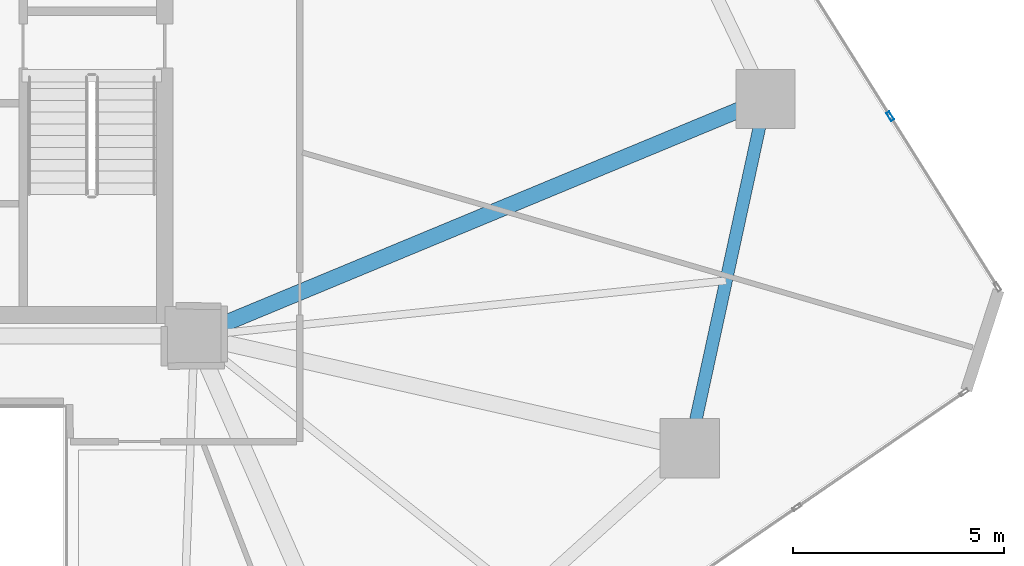
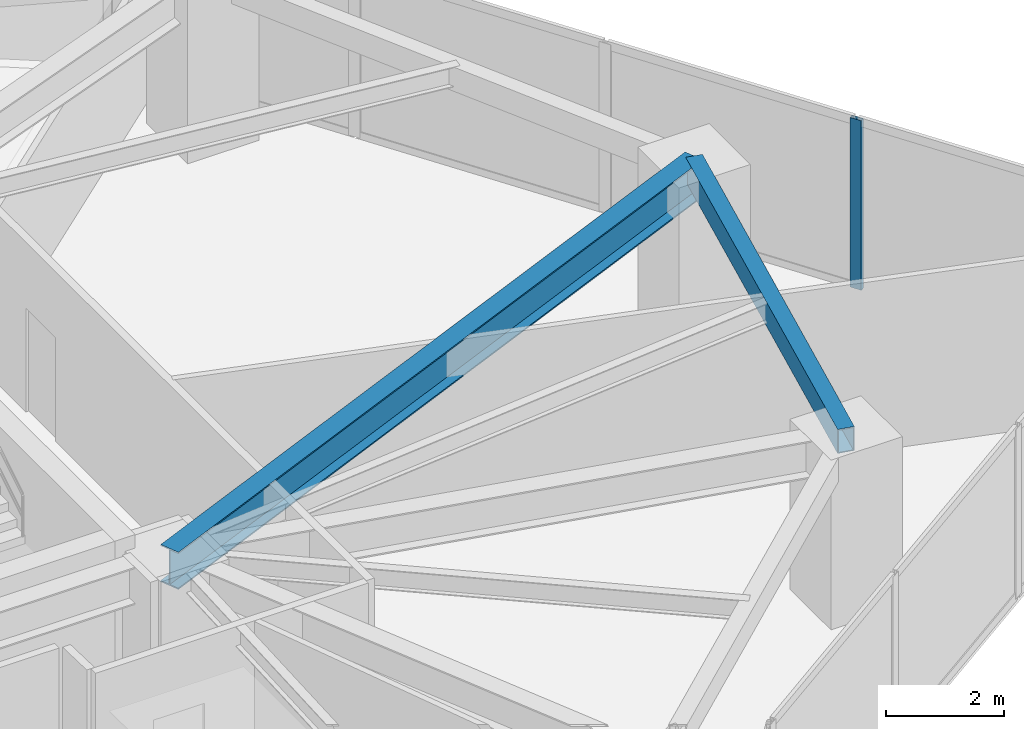
# One storey, part 10 of 21: 2 beams, 1 member, 1 element without a shape of its own.
"""IFC4 building model written with IfcOpenShell, lengths in metres."""

from ifc_helpers import new_model, si_unit, direction, frame, origin, origin_2d, place, context, subcontext, project, spatial, hollow_rectangle, i_section, extrude, source, transform, mapped, material, layer, layer_set, material_profile, profile_set, type_object, type_shapes, element, aggregate, save


model = new_model("IFC4")

# Units and contexts
model_context = context("Model", 3, precision=1e-05, world=origin(), true_north=direction((0.0, 1.0)))
body_context = subcontext(model_context, "Body", "Model", "MODEL_VIEW")
ifc_project = project(units=[si_unit("LENGTHUNIT", "METRE"), si_unit("AREAUNIT", "SQUARE_METRE"), si_unit("VOLUMEUNIT", "CUBIC_METRE"), si_unit("PLANEANGLEUNIT", "RADIAN"), si_unit("MASSUNIT", "GRAM", prefix="KILO")], contexts=[model_context])

# Site, building, storey
site_placement = place(None, origin())
site = spatial("IfcSite", under=ifc_project, at=site_placement, CompositionType="ELEMENT")
building_placement = place(site_placement, origin())
building = spatial("IfcBuilding", under=site, at=building_placement, Name="Talar Marvaseh", CompositionType="ELEMENT")
storey_placement = place(building_placement, frame((0.0, 0.0, 62.0)))
storey = spatial("IfcBuildingStorey", under=building, at=storey_placement, Name="L15", CompositionType="ELEMENT", Elevation=62.0)

# Beams
ifc_material_1 = material(Name="Steel S355", Category="steel")
ifc_material_profile_1 = material_profile(ifc_material_1, hollow_rectangle(XDim=0.300048828125, YDim=0.5, WallThickness=0.02001953125, at=origin_2d()), Name="RHS500x300x20")
ifc_profile_set_1 = profile_set([ifc_material_profile_1], Name="Steel S355")
beam_type_1 = type_object("IfcBeamType", Name="Zone 1 Perimeter Spandrel Beam RHS500x300x20", PredefinedType="SPANDREL", material=ifc_profile_set_1)
beam_1_placement = place(storey_placement, frame((46.841064453125, 31.118896484375, 3.27001953125), z_axis=(-0.212134113363, -0.977240562987, 0.0), x_axis=(0.977240562987, -0.212134113363, 0.0)))
element("IfcBeam", 1, at=beam_1_placement, inside=storey, type_object=beam_type_1, Name="L15 Zone 1 Perimeter Spandrel Beam RHS500x300x20", PredefinedType="SPANDREL", context=body_context, shape_type="SweptSolid", body=[
    extrude(hollow_rectangle(XDim=0.300048828125, YDim=0.5, WallThickness=0.02001953125, at=origin_2d()), origin(), (0.0, 0.0, 1.0), 8.4716796875),
])
ifc_material_profile_2 = material_profile(ifc_material_1, i_section(OverallWidth=0.381103515625, OverallDepth=0.77294921875, WebThickness=0.0166015625, FlangeThickness=0.027099609375, at=origin_2d()), Name="W760x257")
ifc_profile_set_2 = profile_set([ifc_material_profile_2], Name="Steel S355")
beam_type_2 = type_object("IfcBeamType", Name="Zone 1 Radial Floor Girder W760x257", PredefinedType="BEAM", material=ifc_profile_set_2)
beam_2_placement = place(storey_placement, frame((46.841064453125, 31.118896484375, 3.133544921875), z_axis=(-0.923637605375, -0.383266974753, 0.0), x_axis=(0.383266974753, -0.923637605375, 0.0)))
element("IfcBeam", 2, at=beam_2_placement, inside=storey, type_object=beam_type_2, Name="L15 Zone 1 Radial Floor Girder W760x257", PredefinedType="BEAM", context=body_context, shape_type="SweptSolid", body=[
    extrude(i_section(OverallWidth=0.381103515625, OverallDepth=0.77294921875, WebThickness=0.0166015625, FlangeThickness=0.027099609375, at=origin_2d()), origin(), (0.0, 0.0, 1.0), 14.66064453125),
])

# Curtain wall, member
ifc_material_2 = material(Name="Architectural Aluminium", Category="aluminium")
ifc_layer = layer(ifc_material_2, 0.219970703125)
ifc_layer_set = layer_set([ifc_layer], Name="Architectural Aluminium")
curtain_wall_type = type_object("IfcCurtainWallType", Name="Unitised Low-E Museum Curtain Wall Z1", PredefinedType="NOTDEFINED", material=ifc_layer_set)
curtain_wall_placement = place(storey_placement, origin())
curtain_wall = element("IfcCurtainWall", 3, at=curtain_wall_placement, inside=storey, type_object=curtain_wall_type, Name="L15 Unitised Low-E Museum Curtain Wall Z1", PredefinedType="NOTDEFINED")
ifc_material_profile_3 = material_profile(ifc_material_2, hollow_rectangle(XDim=0.080078125, YDim=0.219970703125, WallThickness=0.0048828125, at=origin_2d()), Name="RHS220x80x5")
ifc_profile_set_3 = profile_set([ifc_material_profile_3], Name="Architectural Aluminium")
member_type = type_object("IfcMemberType", Name="Unitised Curtain Wall Heavy Mullion RHS220x80x5", PredefinedType="MULLION", material=ifc_profile_set_3)
shared_shape = source(origin(), body_context, "Body", "SweptSolid", [
    extrude(hollow_rectangle(XDim=0.080078125, YDim=0.219970703125, WallThickness=0.0048828125, at=origin_2d()), origin(), (0.0, 0.0, 1.0), 3.52001953125),
])
type_shapes(member_type, [shared_shape])
member_placement = place(storey_placement, frame((49.795654296875, 30.71044921875, 0.0), z_axis=(0.0, 0.0, 1.0), x_axis=(0.846622049872, 0.532194611651, 0.0)))
member = element("IfcMember", 4, at=member_placement, type_object=member_type, Name="CW-Z1 mullion 4", PredefinedType="MULLION", context=body_context, shape_type="MappedRepresentation", body=[
    mapped(shared_shape, transform((0.0, 0.0, 0.0), x_axis=(1.0, 0.0, 0.0), y_axis=(0.0, 1.0, 0.0), z_axis=(0.0, 0.0, 1.0), scale=1.0)),
])
aggregate(curtain_wall, [member])

save(model, "model.ifc")
